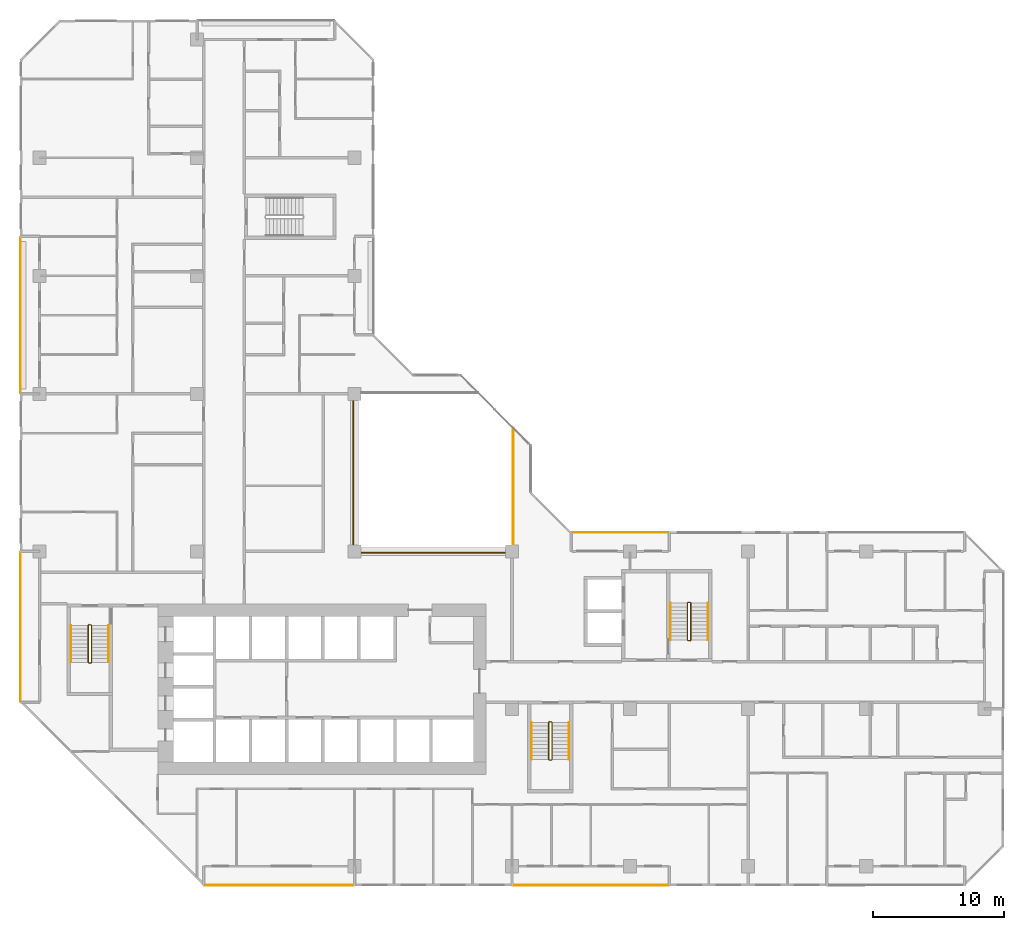
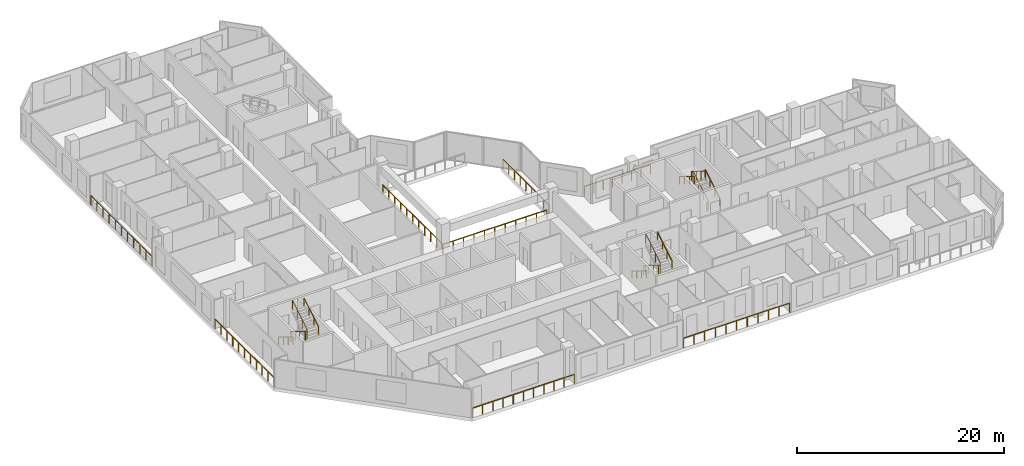
# One storey, part 15 of 16: 16 railings.
"""IFC4 building model written with IfcOpenShell, lengths in metres."""

from ifc_helpers import new_model, si_unit, direction, frame, origin, origin_2d, place, context, subcontext, project, spatial, rectangle, extrude, material, type_object, element, save


model = new_model("IFC4")

# Units and contexts
model_context = context("Model", 3, precision=1e-05, world=origin(), true_north=direction((0.0, 1.0)))
body_context = subcontext(model_context, "Body", "Model", "MODEL_VIEW")
ifc_project = project(units=[si_unit("LENGTHUNIT", "METRE"), si_unit("AREAUNIT", "SQUARE_METRE"), si_unit("VOLUMEUNIT", "CUBIC_METRE"), si_unit("PLANEANGLEUNIT", "RADIAN"), si_unit("MASSUNIT", "GRAM", prefix="KILO")], contexts=[model_context])

# Site, building, storey
site_placement = place(None, origin())
site = spatial("IfcSite", under=ifc_project, at=site_placement, CompositionType="ELEMENT")
building_placement = place(site_placement, origin())
building = spatial("IfcBuilding", under=site, at=building_placement, Name="Chenar Terraces", CompositionType="ELEMENT")
storey_placement = place(building_placement, frame((0.0, 0.0, 103.14990234375)))
storey = spatial("IfcBuildingStorey", under=building, at=storey_placement, Name="L23", CompositionType="ELEMENT", Elevation=103.14990234375)

# Railings
ifc_material_1 = material(Name="Powder-coated steel", Category="steel")
railing_type_1 = type_object("IfcRailingType", Name="Guard 1100 steel rail with glass infill", PredefinedType="GUARDRAIL", material=ifc_material_1)
railing_1_placement = place(storey_placement, frame((23.89990234375, 35.5, 0.0)))
element("IfcRailing", 1, at=railing_1_placement, inside=storey, type_object=railing_type_1, Name="Guard L23-1", PredefinedType="GUARDRAIL", context=body_context, shape_type="SweptSolid", body=[
    extrude(rectangle(XDim=0.06005859375, YDim=0.06005859375, at=origin_2d()), frame((0.0, 0.0, 1.070068359375), z_axis=(0.0, -1.0, 0.0), x_axis=(1.0, 0.0, 0.0)), (0.0, 0.0, 1.0), 11.60009765625),
    extrude(rectangle(XDim=0.06005859375, YDim=0.06005859375, at=origin_2d()), frame((0.0, -11.60009765625, 1.070068359375), z_axis=(1.0, 0.0, 0.0), x_axis=(0.0, 1.0, 0.0)), (0.0, 0.0, 1.0), 11.60009765625),
    extrude(rectangle(XDim=0.050048828125, YDim=0.050048828125, at=origin_2d()), origin(), (0.0, 0.0, 1.0), 1.0400390625),
    extrude(rectangle(XDim=0.050048828125, YDim=0.050048828125, at=origin_2d()), frame((0.0, -1.159912109375, 0.0)), (0.0, 0.0, 1.0), 1.0400390625),
    extrude(rectangle(XDim=0.050048828125, YDim=0.050048828125, at=origin_2d()), frame((0.0, -2.320068359375, 0.0)), (0.0, 0.0, 1.0), 1.0400390625),
    extrude(rectangle(XDim=0.050048828125, YDim=0.050048828125, at=origin_2d()), frame((0.0, -3.47998046875, 0.0)), (0.0, 0.0, 1.0), 1.0400390625),
    extrude(rectangle(XDim=0.050048828125, YDim=0.050048828125, at=origin_2d()), frame((0.0, -4.64013671875, 0.0)), (0.0, 0.0, 1.0), 1.0400390625),
    extrude(rectangle(XDim=0.050048828125, YDim=0.050048828125, at=origin_2d()), frame((0.0, -5.800048828125, 0.0)), (0.0, 0.0, 1.0), 1.0400390625),
    extrude(rectangle(XDim=0.050048828125, YDim=0.050048828125, at=origin_2d()), frame((0.0, -6.9599609375, 0.0)), (0.0, 0.0, 1.0), 1.0400390625),
    extrude(rectangle(XDim=0.050048828125, YDim=0.050048828125, at=origin_2d()), frame((0.0, -8.1201171875, 0.0)), (0.0, 0.0, 1.0), 1.0400390625),
    extrude(rectangle(XDim=0.050048828125, YDim=0.050048828125, at=origin_2d()), frame((0.0, -9.280029296875, 0.0)), (0.0, 0.0, 1.0), 1.0400390625),
    extrude(rectangle(XDim=0.050048828125, YDim=0.050048828125, at=origin_2d()), frame((0.0, -10.440185546875, 0.0)), (0.0, 0.0, 1.0), 1.0400390625),
    extrude(rectangle(XDim=0.050048828125, YDim=0.050048828125, at=origin_2d()), frame((0.0, -11.60009765625, 0.0)), (0.0, 0.0, 1.0), 1.0400390625),
    extrude(rectangle(XDim=0.050048828125, YDim=0.050048828125, at=origin_2d()), frame((1.159912109375, -11.60009765625, 0.0)), (0.0, 0.0, 1.0), 1.0400390625),
    extrude(rectangle(XDim=0.050048828125, YDim=0.050048828125, at=origin_2d()), frame((2.320068359375, -11.60009765625, 0.0)), (0.0, 0.0, 1.0), 1.0400390625),
    extrude(rectangle(XDim=0.050048828125, YDim=0.050048828125, at=origin_2d()), frame((3.47998046875, -11.60009765625, 0.0)), (0.0, 0.0, 1.0), 1.0400390625),
    extrude(rectangle(XDim=0.050048828125, YDim=0.050048828125, at=origin_2d()), frame((4.64013671875, -11.60009765625, 0.0)), (0.0, 0.0, 1.0), 1.0400390625),
    extrude(rectangle(XDim=0.050048828125, YDim=0.050048828125, at=origin_2d()), frame((5.800048828125, -11.60009765625, 0.0)), (0.0, 0.0, 1.0), 1.0400390625),
    extrude(rectangle(XDim=0.050048828125, YDim=0.050048828125, at=origin_2d()), frame((6.9599609375, -11.60009765625, 0.0)), (0.0, 0.0, 1.0), 1.0400390625),
    extrude(rectangle(XDim=0.050048828125, YDim=0.050048828125, at=origin_2d()), frame((8.1201171875, -11.60009765625, 0.0)), (0.0, 0.0, 1.0), 1.0400390625),
    extrude(rectangle(XDim=0.050048828125, YDim=0.050048828125, at=origin_2d()), frame((9.280029296875, -11.60009765625, 0.0)), (0.0, 0.0, 1.0), 1.0400390625),
    extrude(rectangle(XDim=0.050048828125, YDim=0.050048828125, at=origin_2d()), frame((10.440185546875, -11.60009765625, 0.0)), (0.0, 0.0, 1.0), 1.0400390625),
    extrude(rectangle(XDim=0.050048828125, YDim=0.050048828125, at=origin_2d()), frame((11.60009765625, -11.60009765625, 0.0)), (0.0, 0.0, 1.0), 1.0400390625),
])
railing_2_placement = place(storey_placement, frame((36.10009765625, 24.550048828125, 0.0)))
element("IfcRailing", 2, at=railing_2_placement, inside=storey, type_object=railing_type_1, Name="Guard L23-3", PredefinedType="GUARDRAIL", context=body_context, shape_type="SweptSolid", body=[
    extrude(rectangle(XDim=0.06005859375, YDim=0.06005859375, at=origin_2d()), frame((0.0, 0.0, 1.070068359375), z_axis=(0.0, 1.0, 0.0), x_axis=(-1.0, 0.0, 0.0)), (0.0, 0.0, 1.0), 8.849853515625),
    extrude(rectangle(XDim=0.050048828125, YDim=0.050048828125, at=origin_2d()), origin(), (0.0, 0.0, 1.0), 1.0400390625),
    extrude(rectangle(XDim=0.050048828125, YDim=0.050048828125, at=origin_2d()), frame((0.0, 1.106201171875, 0.0)), (0.0, 0.0, 1.0), 1.0400390625),
    extrude(rectangle(XDim=0.050048828125, YDim=0.050048828125, at=origin_2d()), frame((0.0, 2.21240234375, 0.0)), (0.0, 0.0, 1.0), 1.0400390625),
    extrude(rectangle(XDim=0.050048828125, YDim=0.050048828125, at=origin_2d()), frame((0.0, 3.318603515625, 0.0)), (0.0, 0.0, 1.0), 1.0400390625),
    extrude(rectangle(XDim=0.050048828125, YDim=0.050048828125, at=origin_2d()), frame((0.0, 4.4248046875, 0.0)), (0.0, 0.0, 1.0), 1.0400390625),
    extrude(rectangle(XDim=0.050048828125, YDim=0.050048828125, at=origin_2d()), frame((0.0, 5.53125, 0.0)), (0.0, 0.0, 1.0), 1.0400390625),
    extrude(rectangle(XDim=0.050048828125, YDim=0.050048828125, at=origin_2d()), frame((0.0, 6.637451171875, 0.0)), (0.0, 0.0, 1.0), 1.0400390625),
    extrude(rectangle(XDim=0.050048828125, YDim=0.050048828125, at=origin_2d()), frame((0.0, 7.74365234375, 0.0)), (0.0, 0.0, 1.0), 1.0400390625),
    extrude(rectangle(XDim=0.050048828125, YDim=0.050048828125, at=origin_2d()), frame((0.0, 8.849853515625, 0.0)), (0.0, 0.0, 1.0), 1.0400390625),
])
ifc_material_2 = material(Name="Stainless steel and glass", Category="steel")
railing_type_2 = type_object("IfcRailingType", Name="Loggia guard 1150", PredefinedType="GUARDRAIL", material=ifc_material_2)
railing_3_placement = place(storey_placement, frame((47.925048828125, 25.449951171875, 0.0)))
element("IfcRailing", 3, at=railing_3_placement, inside=storey, type_object=railing_type_2, Name="Loggia guard", PredefinedType="GUARDRAIL", context=body_context, shape_type="SweptSolid", body=[
    extrude(rectangle(XDim=0.048095703125, YDim=0.048095703125, at=origin_2d()), frame((0.0, 0.0, 1.1259765625), z_axis=(-1.0, 0.0, 0.0), x_axis=(0.0, -1.0, 0.0)), (0.0, 0.0, 1.0), 7.35009765625),
    extrude(rectangle(XDim=0.0419921875, YDim=0.0419921875, at=origin_2d()), origin(), (0.0, 0.0, 1.0), 1.101806640625),
    extrude(rectangle(XDim=0.0419921875, YDim=0.0419921875, at=origin_2d()), frame((-1.050048828125, 0.0, 0.0)), (0.0, 0.0, 1.0), 1.101806640625),
    extrude(rectangle(XDim=0.0419921875, YDim=0.0419921875, at=origin_2d()), frame((-2.10009765625, 0.0, 0.0)), (0.0, 0.0, 1.0), 1.101806640625),
    extrude(rectangle(XDim=0.0419921875, YDim=0.0419921875, at=origin_2d()), frame((-3.150146484375, 0.0, 0.0)), (0.0, 0.0, 1.0), 1.101806640625),
    extrude(rectangle(XDim=0.0419921875, YDim=0.0419921875, at=origin_2d()), frame((-4.199951171875, 0.0, 0.0)), (0.0, 0.0, 1.0), 1.101806640625),
    extrude(rectangle(XDim=0.0419921875, YDim=0.0419921875, at=origin_2d()), frame((-5.25, 0.0, 0.0)), (0.0, 0.0, 1.0), 1.101806640625),
    extrude(rectangle(XDim=0.0419921875, YDim=0.0419921875, at=origin_2d()), frame((-6.300048828125, 0.0, 0.0)), (0.0, 0.0, 1.0), 1.101806640625),
    extrude(rectangle(XDim=0.0419921875, YDim=0.0419921875, at=origin_2d()), frame((-7.35009765625, 0.0, 0.0)), (0.0, 0.0, 1.0), 1.101806640625),
])
railing_4_placement = place(storey_placement, frame((12.574951171875, -1.449951171875, 0.0)))
element("IfcRailing", 4, at=railing_4_placement, inside=storey, type_object=railing_type_2, Name="Loggia guard", PredefinedType="GUARDRAIL", context=body_context, shape_type="SweptSolid", body=[
    extrude(rectangle(XDim=0.048095703125, YDim=0.048095703125, at=origin_2d()), frame((0.0, 0.0, 1.1259765625), z_axis=(1.0, 0.0, 0.0), x_axis=(0.0, 1.0, 0.0)), (0.0, 0.0, 1.0), 11.35009765625),
    extrude(rectangle(XDim=0.0419921875, YDim=0.0419921875, at=origin_2d()), origin(), (0.0, 0.0, 1.0), 1.101806640625),
    extrude(rectangle(XDim=0.0419921875, YDim=0.0419921875, at=origin_2d()), frame((1.135009765625, 0.0, 0.0)), (0.0, 0.0, 1.0), 1.101806640625),
    extrude(rectangle(XDim=0.0419921875, YDim=0.0419921875, at=origin_2d()), frame((2.27001953125, 0.0, 0.0)), (0.0, 0.0, 1.0), 1.101806640625),
    extrude(rectangle(XDim=0.0419921875, YDim=0.0419921875, at=origin_2d()), frame((3.405029296875, 0.0, 0.0)), (0.0, 0.0, 1.0), 1.101806640625),
    extrude(rectangle(XDim=0.0419921875, YDim=0.0419921875, at=origin_2d()), frame((4.5400390625, 0.0, 0.0)), (0.0, 0.0, 1.0), 1.101806640625),
    extrude(rectangle(XDim=0.0419921875, YDim=0.0419921875, at=origin_2d()), frame((5.675048828125, 0.0, 0.0)), (0.0, 0.0, 1.0), 1.101806640625),
    extrude(rectangle(XDim=0.0419921875, YDim=0.0419921875, at=origin_2d()), frame((6.81005859375, 0.0, 0.0)), (0.0, 0.0, 1.0), 1.101806640625),
    extrude(rectangle(XDim=0.0419921875, YDim=0.0419921875, at=origin_2d()), frame((7.945068359375, 0.0, 0.0)), (0.0, 0.0, 1.0), 1.101806640625),
    extrude(rectangle(XDim=0.0419921875, YDim=0.0419921875, at=origin_2d()), frame((9.080078125, 0.0, 0.0)), (0.0, 0.0, 1.0), 1.101806640625),
    extrude(rectangle(XDim=0.0419921875, YDim=0.0419921875, at=origin_2d()), frame((10.215087890625, 0.0, 0.0)), (0.0, 0.0, 1.0), 1.101806640625),
    extrude(rectangle(XDim=0.0419921875, YDim=0.0419921875, at=origin_2d()), frame((11.35009765625, 0.0, 0.0)), (0.0, 0.0, 1.0), 1.101806640625),
])
railing_5_placement = place(storey_placement, frame((36.074951171875, -1.449951171875, 0.0)))
element("IfcRailing", 5, at=railing_5_placement, inside=storey, type_object=railing_type_2, Name="Loggia guard", PredefinedType="GUARDRAIL", context=body_context, shape_type="SweptSolid", body=[
    extrude(rectangle(XDim=0.048095703125, YDim=0.048095703125, at=origin_2d()), frame((0.0, 0.0, 1.1259765625), z_axis=(1.0, 0.0, 0.0), x_axis=(0.0, 1.0, 0.0)), (0.0, 0.0, 1.0), 11.85009765625),
    extrude(rectangle(XDim=0.0419921875, YDim=0.0419921875, at=origin_2d()), origin(), (0.0, 0.0, 1.0), 1.101806640625),
    extrude(rectangle(XDim=0.0419921875, YDim=0.0419921875, at=origin_2d()), frame((1.18505859375, 0.0, 0.0)), (0.0, 0.0, 1.0), 1.101806640625),
    extrude(rectangle(XDim=0.0419921875, YDim=0.0419921875, at=origin_2d()), frame((2.3701171875, 0.0, 0.0)), (0.0, 0.0, 1.0), 1.101806640625),
    extrude(rectangle(XDim=0.0419921875, YDim=0.0419921875, at=origin_2d()), frame((3.554931640625, 0.0, 0.0)), (0.0, 0.0, 1.0), 1.101806640625),
    extrude(rectangle(XDim=0.0419921875, YDim=0.0419921875, at=origin_2d()), frame((4.739990234375, 0.0, 0.0)), (0.0, 0.0, 1.0), 1.101806640625),
    extrude(rectangle(XDim=0.0419921875, YDim=0.0419921875, at=origin_2d()), frame((5.925048828125, 0.0, 0.0)), (0.0, 0.0, 1.0), 1.101806640625),
    extrude(rectangle(XDim=0.0419921875, YDim=0.0419921875, at=origin_2d()), frame((7.110107421875, 0.0, 0.0)), (0.0, 0.0, 1.0), 1.101806640625),
    extrude(rectangle(XDim=0.0419921875, YDim=0.0419921875, at=origin_2d()), frame((8.295166015625, 0.0, 0.0)), (0.0, 0.0, 1.0), 1.101806640625),
    extrude(rectangle(XDim=0.0419921875, YDim=0.0419921875, at=origin_2d()), frame((9.47998046875, 0.0, 0.0)), (0.0, 0.0, 1.0), 1.101806640625),
    extrude(rectangle(XDim=0.0419921875, YDim=0.0419921875, at=origin_2d()), frame((10.6650390625, 0.0, 0.0)), (0.0, 0.0, 1.0), 1.101806640625),
    extrude(rectangle(XDim=0.0419921875, YDim=0.0419921875, at=origin_2d()), frame((11.85009765625, 0.0, 0.0)), (0.0, 0.0, 1.0), 1.101806640625),
])
railing_6_placement = place(storey_placement, frame((-1.449951171875, 47.925048828125, 0.0)))
element("IfcRailing", 6, at=railing_6_placement, inside=storey, type_object=railing_type_2, Name="Loggia guard", PredefinedType="GUARDRAIL", context=body_context, shape_type="SweptSolid", body=[
    extrude(rectangle(XDim=0.048095703125, YDim=0.048095703125, at=origin_2d()), frame((0.0, 0.0, 1.1259765625), z_axis=(0.0, -1.0, 0.0), x_axis=(1.0, 0.0, 0.0)), (0.0, 0.0, 1.0), 11.85009765625),
    extrude(rectangle(XDim=0.0419921875, YDim=0.0419921875, at=origin_2d()), origin(), (0.0, 0.0, 1.0), 1.101806640625),
    extrude(rectangle(XDim=0.0419921875, YDim=0.0419921875, at=origin_2d()), frame((0.0, -1.18505859375, 0.0)), (0.0, 0.0, 1.0), 1.101806640625),
    extrude(rectangle(XDim=0.0419921875, YDim=0.0419921875, at=origin_2d()), frame((0.0, -2.3701171875, 0.0)), (0.0, 0.0, 1.0), 1.101806640625),
    extrude(rectangle(XDim=0.0419921875, YDim=0.0419921875, at=origin_2d()), frame((0.0, -3.554931640625, 0.0)), (0.0, 0.0, 1.0), 1.101806640625),
    extrude(rectangle(XDim=0.0419921875, YDim=0.0419921875, at=origin_2d()), frame((0.0, -4.739990234375, 0.0)), (0.0, 0.0, 1.0), 1.101806640625),
    extrude(rectangle(XDim=0.0419921875, YDim=0.0419921875, at=origin_2d()), frame((0.0, -5.925048828125, 0.0)), (0.0, 0.0, 1.0), 1.101806640625),
    extrude(rectangle(XDim=0.0419921875, YDim=0.0419921875, at=origin_2d()), frame((0.0, -7.110107421875, 0.0)), (0.0, 0.0, 1.0), 1.101806640625),
    extrude(rectangle(XDim=0.0419921875, YDim=0.0419921875, at=origin_2d()), frame((0.0, -8.295166015625, 0.0)), (0.0, 0.0, 1.0), 1.101806640625),
    extrude(rectangle(XDim=0.0419921875, YDim=0.0419921875, at=origin_2d()), frame((0.0, -9.47998046875, 0.0)), (0.0, 0.0, 1.0), 1.101806640625),
    extrude(rectangle(XDim=0.0419921875, YDim=0.0419921875, at=origin_2d()), frame((0.0, -10.6650390625, 0.0)), (0.0, 0.0, 1.0), 1.101806640625),
    extrude(rectangle(XDim=0.0419921875, YDim=0.0419921875, at=origin_2d()), frame((0.0, -11.85009765625, 0.0)), (0.0, 0.0, 1.0), 1.101806640625),
])
railing_7_placement = place(storey_placement, frame((-1.449951171875, 23.925048828125, 0.0)))
element("IfcRailing", 7, at=railing_7_placement, inside=storey, type_object=railing_type_2, Name="Loggia guard", PredefinedType="GUARDRAIL", context=body_context, shape_type="SweptSolid", body=[
    extrude(rectangle(XDim=0.048095703125, YDim=0.048095703125, at=origin_2d()), frame((0.0, 0.0, 1.1259765625), z_axis=(0.0, -1.0, 0.0), x_axis=(1.0, 0.0, 0.0)), (0.0, 0.0, 1.0), 11.35009765625),
    extrude(rectangle(XDim=0.0419921875, YDim=0.0419921875, at=origin_2d()), origin(), (0.0, 0.0, 1.0), 1.101806640625),
    extrude(rectangle(XDim=0.0419921875, YDim=0.0419921875, at=origin_2d()), frame((0.0, -1.135009765625, 0.0)), (0.0, 0.0, 1.0), 1.101806640625),
    extrude(rectangle(XDim=0.0419921875, YDim=0.0419921875, at=origin_2d()), frame((0.0, -2.27001953125, 0.0)), (0.0, 0.0, 1.0), 1.101806640625),
    extrude(rectangle(XDim=0.0419921875, YDim=0.0419921875, at=origin_2d()), frame((0.0, -3.405029296875, 0.0)), (0.0, 0.0, 1.0), 1.101806640625),
    extrude(rectangle(XDim=0.0419921875, YDim=0.0419921875, at=origin_2d()), frame((0.0, -4.5400390625, 0.0)), (0.0, 0.0, 1.0), 1.101806640625),
    extrude(rectangle(XDim=0.0419921875, YDim=0.0419921875, at=origin_2d()), frame((0.0, -5.675048828125, 0.0)), (0.0, 0.0, 1.0), 1.101806640625),
    extrude(rectangle(XDim=0.0419921875, YDim=0.0419921875, at=origin_2d()), frame((0.0, -6.81005859375, 0.0)), (0.0, 0.0, 1.0), 1.101806640625),
    extrude(rectangle(XDim=0.0419921875, YDim=0.0419921875, at=origin_2d()), frame((0.0, -7.945068359375, 0.0)), (0.0, 0.0, 1.0), 1.101806640625),
    extrude(rectangle(XDim=0.0419921875, YDim=0.0419921875, at=origin_2d()), frame((0.0, -9.080078125, 0.0)), (0.0, 0.0, 1.0), 1.101806640625),
    extrude(rectangle(XDim=0.0419921875, YDim=0.0419921875, at=origin_2d()), frame((0.0, -10.215087890625, 0.0)), (0.0, 0.0, 1.0), 1.101806640625),
    extrude(rectangle(XDim=0.0419921875, YDim=0.0419921875, at=origin_2d()), frame((0.0, -11.35009765625, 0.0)), (0.0, 0.0, 1.0), 1.101806640625),
])
ifc_material_3 = material(Name="Powder-coated steel", Category="steel")
railing_type_3 = type_object("IfcRailingType", Name="Stair guard 1100", PredefinedType="GUARDRAIL", material=ifc_material_3)
railing_8_placement = place(storey_placement, frame((3.949951171875, 18.35009765625, 3.75)))
element("IfcRailing", 8, at=railing_8_placement, inside=storey, type_object=railing_type_3, Name="L23 ST1 stair guard 1", PredefinedType="GUARDRAIL", context=body_context, shape_type="SweptSolid", body=[
    extrude(rectangle(XDim=0.048095703125, YDim=0.048095703125, at=origin_2d()), frame((0.0, 0.0, 1.076171875), z_axis=(0.0, -0.854202870247, -0.519939858505), x_axis=(1.0, 0.0, 0.0)), (0.0, 0.0, 1.0), 3.278076171875),
    extrude(rectangle(XDim=0.048095703125, YDim=0.048095703125, at=origin_2d()), frame((0.0, -2.800048828125, -0.62841796875), z_axis=(-0.270899902878, -0.270899902878, -0.923702595667), x_axis=(0.707106781187, -0.707106781187, 0.0)), (0.0, 0.0, 1.0), 0.184814453125),
    extrude(rectangle(XDim=0.048095703125, YDim=0.048095703125, at=origin_2d()), frame((-0.050048828125, -2.85009765625, -0.798828125), z_axis=(-1.0, 0.0, 0.0), x_axis=(0.0, -1.0, 0.0)), (0.0, 0.0, 1.0), 0.14990234375),
    extrude(rectangle(XDim=0.048095703125, YDim=0.048095703125, at=origin_2d()), frame((-0.199951171875, -2.85009765625, -0.798828125), z_axis=(-0.707106781187, 0.707106781187, 0.0), x_axis=(-0.707106781187, -0.707106781187, 0.0)), (0.0, 0.0, 1.0), 0.07080078125),
    extrude(rectangle(XDim=0.048095703125, YDim=0.048095703125, at=origin_2d()), frame((-0.25, -2.800048828125, -0.798828125), z_axis=(0.0, 0.854202870247, -0.519939858505), x_axis=(-1.0, 0.0, 0.0)), (0.0, 0.0, 1.0), 3.278076171875),
    extrude(rectangle(XDim=0.048095703125, YDim=0.048095703125, at=origin_2d()), frame((-0.25, 0.0, -2.50341796875), z_axis=(0.270996696079, 0.269674760976, -0.924032636873), x_axis=(-0.705375805398, 0.708833529934, 0.0)), (0.0, 0.0, 1.0), 0.1845703125),
    extrude(rectangle(XDim=0.048095703125, YDim=0.048095703125, at=origin_2d()), frame((-0.199951171875, 0.0498046875, -2.673828125), z_axis=(1.0, 0.0, 0.0), x_axis=(0.0, 1.0, 0.0)), (0.0, 0.0, 1.0), 0.14990234375),
    extrude(rectangle(XDim=0.0419921875, YDim=0.0419921875, at=origin_2d()), origin(), (0.0, 0.0, 1.0), 1.052001953125),
    extrude(rectangle(XDim=0.0419921875, YDim=0.0419921875, at=origin_2d()), frame((0.0, -0.933349609375, -0.568115234375)), (0.0, 0.0, 1.0), 1.052001953125),
    extrude(rectangle(XDim=0.0419921875, YDim=0.0419921875, at=origin_2d()), frame((0.0, -1.86669921875, -1.13623046875)), (0.0, 0.0, 1.0), 1.052001953125),
    extrude(rectangle(XDim=0.0419921875, YDim=0.0419921875, at=origin_2d()), frame((0.0, -2.800048828125, -1.704345703125)), (0.0, 0.0, 1.0), 1.052001953125),
    extrude(rectangle(XDim=0.0419921875, YDim=0.0419921875, at=origin_2d()), frame((-0.050048828125, -2.85009765625, -1.875)), (0.0, 0.0, 1.0), 1.052001953125),
    extrude(rectangle(XDim=0.0419921875, YDim=0.0419921875, at=origin_2d()), frame((-0.199951171875, -2.85009765625, -1.875)), (0.0, 0.0, 1.0), 1.052001953125),
    extrude(rectangle(XDim=0.0419921875, YDim=0.0419921875, at=origin_2d()), frame((-0.25, -2.800048828125, -1.875)), (0.0, 0.0, 1.0), 1.052001953125),
    extrude(rectangle(XDim=0.0419921875, YDim=0.0419921875, at=origin_2d()), frame((-0.25, -1.86669921875, -2.443115234375)), (0.0, 0.0, 1.0), 1.052001953125),
    extrude(rectangle(XDim=0.0419921875, YDim=0.0419921875, at=origin_2d()), frame((-0.25, -0.933349609375, -3.01123046875)), (0.0, 0.0, 1.0), 1.052001953125),
    extrude(rectangle(XDim=0.0419921875, YDim=0.0419921875, at=origin_2d()), frame((-0.25, 0.0, -3.579345703125)), (0.0, 0.0, 1.0), 1.052001953125),
    extrude(rectangle(XDim=0.0419921875, YDim=0.0419921875, at=origin_2d()), frame((-0.199951171875, 0.0498046875, -3.75)), (0.0, 0.0, 1.0), 1.052001953125),
    extrude(rectangle(XDim=0.0419921875, YDim=0.0419921875, at=origin_2d()), frame((-0.050048828125, 0.0498046875, -3.75)), (0.0, 0.0, 1.0), 1.052001953125),
])
railing_9_placement = place(storey_placement, frame((39.050048828125, 10.949951171875, 3.75)))
element("IfcRailing", 9, at=railing_9_placement, inside=storey, type_object=railing_type_3, Name="L23 ST2 stair guard 1", PredefinedType="GUARDRAIL", context=body_context, shape_type="SweptSolid", body=[
    extrude(rectangle(XDim=0.048095703125, YDim=0.048095703125, at=origin_2d()), frame((0.0, 0.0, 1.076171875), z_axis=(0.0, -0.854202870247, -0.519939858505), x_axis=(1.0, 0.0, 0.0)), (0.0, 0.0, 1.0), 3.278076171875),
    extrude(rectangle(XDim=0.048095703125, YDim=0.048095703125, at=origin_2d()), frame((0.0, -2.800048828125, -0.62841796875), z_axis=(-0.270996696079, -0.269674760976, -0.924032636873), x_axis=(0.705375805398, -0.708833529934, 0.0)), (0.0, 0.0, 1.0), 0.1845703125),
    extrude(rectangle(XDim=0.048095703125, YDim=0.048095703125, at=origin_2d()), frame((-0.050048828125, -2.849853515625, -0.798828125), z_axis=(-1.0, 0.0, 0.0), x_axis=(0.0, -1.0, 0.0)), (0.0, 0.0, 1.0), 0.14990234375),
    extrude(rectangle(XDim=0.048095703125, YDim=0.048095703125, at=origin_2d()), frame((-0.199951171875, -2.849853515625, -0.798828125), z_axis=(-0.708833529934, 0.705375805398, 0.0), x_axis=(-0.705375805398, -0.708833529934, 0.0)), (0.0, 0.0, 1.0), 0.070556640625),
    extrude(rectangle(XDim=0.048095703125, YDim=0.048095703125, at=origin_2d()), frame((-0.25, -2.800048828125, -0.798828125), z_axis=(0.0, 0.854202870247, -0.519939858505), x_axis=(-1.0, 0.0, 0.0)), (0.0, 0.0, 1.0), 3.278076171875),
    extrude(rectangle(XDim=0.048095703125, YDim=0.048095703125, at=origin_2d()), frame((-0.25, 0.0, -2.50341796875), z_axis=(0.270899902878, 0.270899902878, -0.923702595667), x_axis=(-0.707106781187, 0.707106781187, 0.0)), (0.0, 0.0, 1.0), 0.184814453125),
    extrude(rectangle(XDim=0.048095703125, YDim=0.048095703125, at=origin_2d()), frame((-0.199951171875, 0.050048828125, -2.673828125), z_axis=(1.0, 0.0, 0.0), x_axis=(0.0, 1.0, 0.0)), (0.0, 0.0, 1.0), 0.14990234375),
    extrude(rectangle(XDim=0.0419921875, YDim=0.0419921875, at=origin_2d()), origin(), (0.0, 0.0, 1.0), 1.052001953125),
    extrude(rectangle(XDim=0.0419921875, YDim=0.0419921875, at=origin_2d()), frame((0.0, -0.933349609375, -0.568115234375)), (0.0, 0.0, 1.0), 1.052001953125),
    extrude(rectangle(XDim=0.0419921875, YDim=0.0419921875, at=origin_2d()), frame((0.0, -1.86669921875, -1.13623046875)), (0.0, 0.0, 1.0), 1.052001953125),
    extrude(rectangle(XDim=0.0419921875, YDim=0.0419921875, at=origin_2d()), frame((0.0, -2.800048828125, -1.704345703125)), (0.0, 0.0, 1.0), 1.052001953125),
    extrude(rectangle(XDim=0.0419921875, YDim=0.0419921875, at=origin_2d()), frame((-0.050048828125, -2.849853515625, -1.875)), (0.0, 0.0, 1.0), 1.052001953125),
    extrude(rectangle(XDim=0.0419921875, YDim=0.0419921875, at=origin_2d()), frame((-0.199951171875, -2.849853515625, -1.875)), (0.0, 0.0, 1.0), 1.052001953125),
    extrude(rectangle(XDim=0.0419921875, YDim=0.0419921875, at=origin_2d()), frame((-0.25, -2.800048828125, -1.875)), (0.0, 0.0, 1.0), 1.052001953125),
    extrude(rectangle(XDim=0.0419921875, YDim=0.0419921875, at=origin_2d()), frame((-0.25, -1.86669921875, -2.443115234375)), (0.0, 0.0, 1.0), 1.052001953125),
    extrude(rectangle(XDim=0.0419921875, YDim=0.0419921875, at=origin_2d()), frame((-0.25, -0.933349609375, -3.01123046875)), (0.0, 0.0, 1.0), 1.052001953125),
    extrude(rectangle(XDim=0.0419921875, YDim=0.0419921875, at=origin_2d()), frame((-0.25, 0.0, -3.579345703125)), (0.0, 0.0, 1.0), 1.052001953125),
    extrude(rectangle(XDim=0.0419921875, YDim=0.0419921875, at=origin_2d()), frame((-0.199951171875, 0.050048828125, -3.75)), (0.0, 0.0, 1.0), 1.052001953125),
    extrude(rectangle(XDim=0.0419921875, YDim=0.0419921875, at=origin_2d()), frame((-0.050048828125, 0.050048828125, -3.75)), (0.0, 0.0, 1.0), 1.052001953125),
])
railing_10_placement = place(storey_placement, frame((49.375, 17.25, 3.75)))
element("IfcRailing", 10, at=railing_10_placement, inside=storey, type_object=railing_type_3, Name="L23 ST3 stair guard 1", PredefinedType="GUARDRAIL", context=body_context, shape_type="SweptSolid", body=[
    extrude(rectangle(XDim=0.048095703125, YDim=0.048095703125, at=origin_2d()), frame((0.0, 0.0, 1.076171875), z_axis=(0.0, 0.854202870247, -0.519939858505), x_axis=(-1.0, 0.0, 0.0)), (0.0, 0.0, 1.0), 3.278076171875),
    extrude(rectangle(XDim=0.048095703125, YDim=0.048095703125, at=origin_2d()), frame((0.0, 2.800048828125, -0.62841796875), z_axis=(0.270899902878, 0.270899902878, -0.923702595667), x_axis=(-0.707106781187, 0.707106781187, 0.0)), (0.0, 0.0, 1.0), 0.184814453125),
    extrude(rectangle(XDim=0.048095703125, YDim=0.048095703125, at=origin_2d()), frame((0.050048828125, 2.85009765625, -0.798828125), z_axis=(1.0, 0.0, 0.0), x_axis=(0.0, 1.0, 0.0)), (0.0, 0.0, 1.0), 0.14990234375),
    extrude(rectangle(XDim=0.048095703125, YDim=0.048095703125, at=origin_2d()), frame((0.199951171875, 2.85009765625, -0.798828125), z_axis=(0.707106781187, -0.707106781187, 0.0), x_axis=(0.707106781187, 0.707106781187, 0.0)), (0.0, 0.0, 1.0), 0.07080078125),
    extrude(rectangle(XDim=0.048095703125, YDim=0.048095703125, at=origin_2d()), frame((0.25, 2.800048828125, -0.798828125), z_axis=(0.0, -0.854202870247, -0.519939858505), x_axis=(1.0, 0.0, 0.0)), (0.0, 0.0, 1.0), 3.278076171875),
    extrude(rectangle(XDim=0.048095703125, YDim=0.048095703125, at=origin_2d()), frame((0.25, 0.0, -2.50341796875), z_axis=(-0.270899902878, -0.270899902878, -0.923702595667), x_axis=(0.707106781187, -0.707106781187, 0.0)), (0.0, 0.0, 1.0), 0.184814453125),
    extrude(rectangle(XDim=0.048095703125, YDim=0.048095703125, at=origin_2d()), frame((0.199951171875, -0.050048828125, -2.673828125), z_axis=(-1.0, 0.0, 0.0), x_axis=(0.0, -1.0, 0.0)), (0.0, 0.0, 1.0), 0.14990234375),
    extrude(rectangle(XDim=0.0419921875, YDim=0.0419921875, at=origin_2d()), origin(), (0.0, 0.0, 1.0), 1.052001953125),
    extrude(rectangle(XDim=0.0419921875, YDim=0.0419921875, at=origin_2d()), frame((0.0, 0.933349609375, -0.568115234375)), (0.0, 0.0, 1.0), 1.052001953125),
    extrude(rectangle(XDim=0.0419921875, YDim=0.0419921875, at=origin_2d()), frame((0.0, 1.86669921875, -1.13623046875)), (0.0, 0.0, 1.0), 1.052001953125),
    extrude(rectangle(XDim=0.0419921875, YDim=0.0419921875, at=origin_2d()), frame((0.0, 2.800048828125, -1.704345703125)), (0.0, 0.0, 1.0), 1.052001953125),
    extrude(rectangle(XDim=0.0419921875, YDim=0.0419921875, at=origin_2d()), frame((0.050048828125, 2.85009765625, -1.875)), (0.0, 0.0, 1.0), 1.052001953125),
    extrude(rectangle(XDim=0.0419921875, YDim=0.0419921875, at=origin_2d()), frame((0.199951171875, 2.85009765625, -1.875)), (0.0, 0.0, 1.0), 1.052001953125),
    extrude(rectangle(XDim=0.0419921875, YDim=0.0419921875, at=origin_2d()), frame((0.25, 2.800048828125, -1.875)), (0.0, 0.0, 1.0), 1.052001953125),
    extrude(rectangle(XDim=0.0419921875, YDim=0.0419921875, at=origin_2d()), frame((0.25, 1.86669921875, -2.443115234375)), (0.0, 0.0, 1.0), 1.052001953125),
    extrude(rectangle(XDim=0.0419921875, YDim=0.0419921875, at=origin_2d()), frame((0.25, 0.933349609375, -3.01123046875)), (0.0, 0.0, 1.0), 1.052001953125),
    extrude(rectangle(XDim=0.0419921875, YDim=0.0419921875, at=origin_2d()), frame((0.25, 0.0, -3.579345703125)), (0.0, 0.0, 1.0), 1.052001953125),
    extrude(rectangle(XDim=0.0419921875, YDim=0.0419921875, at=origin_2d()), frame((0.199951171875, -0.050048828125, -3.75)), (0.0, 0.0, 1.0), 1.052001953125),
    extrude(rectangle(XDim=0.0419921875, YDim=0.0419921875, at=origin_2d()), frame((0.050048828125, -0.050048828125, -3.75)), (0.0, 0.0, 1.0), 1.052001953125),
])
ifc_material_4 = material(Name="Powder-coated steel", Category="steel")
railing_type_4 = type_object("IfcRailingType", Name="Stair handrail 900", PredefinedType="HANDRAIL", material=ifc_material_4)
railing_11_placement = place(storey_placement, frame((2.39990234375, 18.35009765625, 0.170654296875)))
element("IfcRailing", 11, at=railing_11_placement, inside=storey, type_object=railing_type_4, Name="L23 ST1 stair handrail 1", PredefinedType="HANDRAIL", context=body_context, shape_type="SweptSolid", body=[
    extrude(rectangle(XDim=0.048095703125, YDim=0.048095703125, at=origin_2d()), frame((0.0, 0.0, 0.8759765625), z_axis=(0.0, -0.854202870247, 0.519939858505), x_axis=(1.0, 0.0, 0.0)), (0.0, 0.0, 1.0), 3.278076171875),
    extrude(rectangle(XDim=0.0419921875, YDim=0.0419921875, at=origin_2d()), origin(), (0.0, 0.0, 1.0), 0.851806640625),
    extrude(rectangle(XDim=0.0419921875, YDim=0.0419921875, at=origin_2d()), frame((0.0, -0.933349609375, 0.568115234375)), (0.0, 0.0, 1.0), 0.851806640625),
    extrude(rectangle(XDim=0.0419921875, YDim=0.0419921875, at=origin_2d()), frame((0.0, -1.86669921875, 1.13623046875)), (0.0, 0.0, 1.0), 0.851806640625),
    extrude(rectangle(XDim=0.0419921875, YDim=0.0419921875, at=origin_2d()), frame((0.0, -2.800048828125, 1.704345703125)), (0.0, 0.0, 1.0), 0.851806640625),
])
railing_12_placement = place(storey_placement, frame((5.25, 15.550048828125, 2.045654296875)))
element("IfcRailing", 12, at=railing_12_placement, inside=storey, type_object=railing_type_4, Name="L23 ST1 stair handrail 2", PredefinedType="HANDRAIL", context=body_context, shape_type="SweptSolid", body=[
    extrude(rectangle(XDim=0.048095703125, YDim=0.048095703125, at=origin_2d()), frame((0.0, 0.0, 0.8759765625), z_axis=(0.0, 0.854202870247, 0.519939858505), x_axis=(-1.0, 0.0, 0.0)), (0.0, 0.0, 1.0), 3.278076171875),
    extrude(rectangle(XDim=0.0419921875, YDim=0.0419921875, at=origin_2d()), origin(), (0.0, 0.0, 1.0), 0.851806640625),
    extrude(rectangle(XDim=0.0419921875, YDim=0.0419921875, at=origin_2d()), frame((0.0, 0.933349609375, 0.568115234375)), (0.0, 0.0, 1.0), 0.851806640625),
    extrude(rectangle(XDim=0.0419921875, YDim=0.0419921875, at=origin_2d()), frame((0.0, 1.86669921875, 1.13623046875)), (0.0, 0.0, 1.0), 0.851806640625),
    extrude(rectangle(XDim=0.0419921875, YDim=0.0419921875, at=origin_2d()), frame((0.0, 2.800048828125, 1.704345703125)), (0.0, 0.0, 1.0), 0.851806640625),
])
railing_13_placement = place(storey_placement, frame((37.5, 10.949951171875, 0.170654296875)))
element("IfcRailing", 13, at=railing_13_placement, inside=storey, type_object=railing_type_4, Name="L23 ST2 stair handrail 1", PredefinedType="HANDRAIL", context=body_context, shape_type="SweptSolid", body=[
    extrude(rectangle(XDim=0.048095703125, YDim=0.048095703125, at=origin_2d()), frame((0.0, 0.0, 0.8759765625), z_axis=(0.0, -0.854202870247, 0.519939858505), x_axis=(1.0, 0.0, 0.0)), (0.0, 0.0, 1.0), 3.278076171875),
    extrude(rectangle(XDim=0.0419921875, YDim=0.0419921875, at=origin_2d()), origin(), (0.0, 0.0, 1.0), 0.851806640625),
    extrude(rectangle(XDim=0.0419921875, YDim=0.0419921875, at=origin_2d()), frame((0.0, -0.933349609375, 0.568115234375)), (0.0, 0.0, 1.0), 0.851806640625),
    extrude(rectangle(XDim=0.0419921875, YDim=0.0419921875, at=origin_2d()), frame((0.0, -1.86669921875, 1.13623046875)), (0.0, 0.0, 1.0), 0.851806640625),
    extrude(rectangle(XDim=0.0419921875, YDim=0.0419921875, at=origin_2d()), frame((0.0, -2.800048828125, 1.704345703125)), (0.0, 0.0, 1.0), 0.851806640625),
])
for number, where, name in (
    (14, (40.35009765625, 8.14990234375, 2.045654296875), "L23 ST2 stair handrail 2"),
    (15, (50.925048828125, 17.25, 0.170654296875), "L23 ST3 stair handrail 1"),
):
    element("IfcRailing", number, at=place(storey_placement, frame(where)), inside=storey, type_object=railing_type_4, Name=name, PredefinedType="HANDRAIL", context=body_context, shape_type="SweptSolid", body=[
        extrude(rectangle(XDim=0.048095703125, YDim=0.048095703125, at=origin_2d()), frame((0.0, 0.0, 0.8759765625), z_axis=(0.0, 0.854202870247, 0.519939858505), x_axis=(-1.0, 0.0, 0.0)), (0.0, 0.0, 1.0), 3.278076171875),
        extrude(rectangle(XDim=0.0419921875, YDim=0.0419921875, at=origin_2d()), origin(), (0.0, 0.0, 1.0), 0.851806640625),
        extrude(rectangle(XDim=0.0419921875, YDim=0.0419921875, at=origin_2d()), frame((0.0, 0.933349609375, 0.568115234375)), (0.0, 0.0, 1.0), 0.851806640625),
        extrude(rectangle(XDim=0.0419921875, YDim=0.0419921875, at=origin_2d()), frame((0.0, 1.86669921875, 1.13623046875)), (0.0, 0.0, 1.0), 0.851806640625),
        extrude(rectangle(XDim=0.0419921875, YDim=0.0419921875, at=origin_2d()), frame((0.0, 2.800048828125, 1.704345703125)), (0.0, 0.0, 1.0), 0.851806640625),
    ])
railing_14_placement = place(storey_placement, frame((48.074951171875, 20.050048828125, 2.045654296875)))
element("IfcRailing", 16, at=railing_14_placement, inside=storey, type_object=railing_type_4, Name="L23 ST3 stair handrail 2", PredefinedType="HANDRAIL", context=body_context, shape_type="SweptSolid", body=[
    extrude(rectangle(XDim=0.048095703125, YDim=0.048095703125, at=origin_2d()), frame((0.0, 0.0, 0.8759765625), z_axis=(0.0, -0.854202870247, 0.519939858505), x_axis=(1.0, 0.0, 0.0)), (0.0, 0.0, 1.0), 3.278076171875),
    extrude(rectangle(XDim=0.0419921875, YDim=0.0419921875, at=origin_2d()), origin(), (0.0, 0.0, 1.0), 0.851806640625),
    extrude(rectangle(XDim=0.0419921875, YDim=0.0419921875, at=origin_2d()), frame((0.0, -0.933349609375, 0.568115234375)), (0.0, 0.0, 1.0), 0.851806640625),
    extrude(rectangle(XDim=0.0419921875, YDim=0.0419921875, at=origin_2d()), frame((0.0, -1.86669921875, 1.13623046875)), (0.0, 0.0, 1.0), 0.851806640625),
    extrude(rectangle(XDim=0.0419921875, YDim=0.0419921875, at=origin_2d()), frame((0.0, -2.800048828125, 1.704345703125)), (0.0, 0.0, 1.0), 0.851806640625),
])

save(model, "model.ifc")
